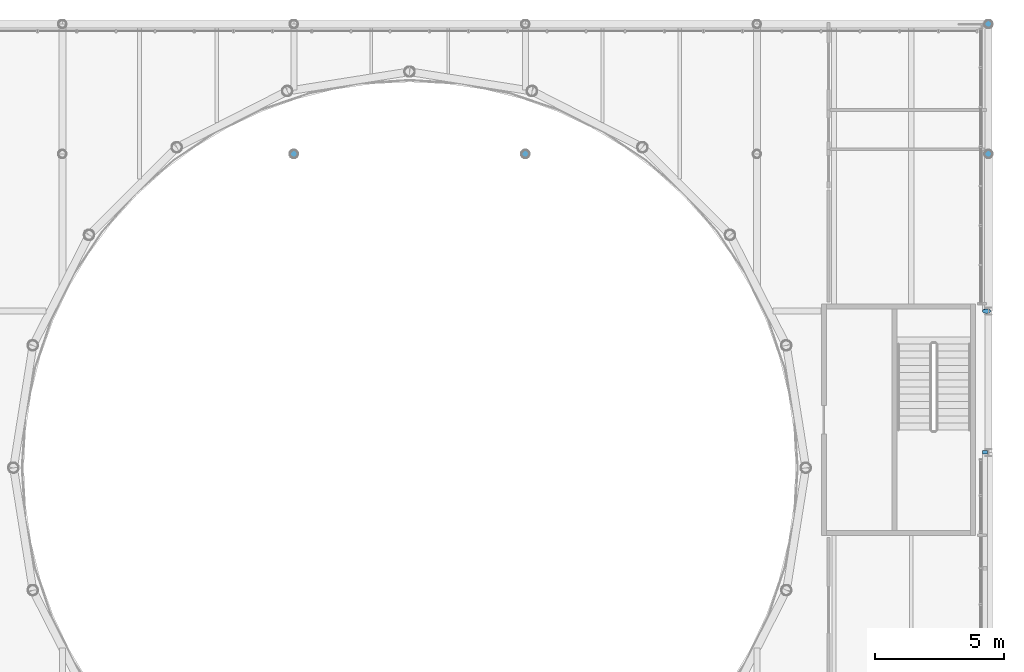
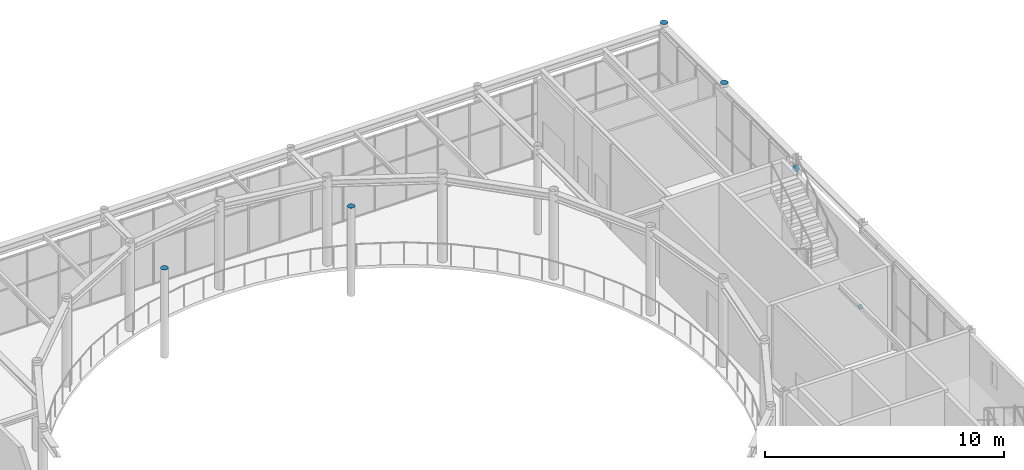
# One storey, part 61 of 70: 6 discrete accessories.
"""IFC4 building model written with IfcOpenShell, lengths in metres."""

from ifc_helpers import new_model, si_unit, direction, frame, origin, origin_2d, place, context, subcontext, project, spatial, rectangle, circle, extrude, material, material_profile, profile_set, type_object, element, save


model = new_model("IFC4")

# Units and contexts
model_context = context("Model", 3, precision=1e-05, world=origin(), true_north=direction((0.0, 1.0)))
body_context = subcontext(model_context, "Body", "Model", "MODEL_VIEW")
ifc_project = project(units=[si_unit("LENGTHUNIT", "METRE"), si_unit("AREAUNIT", "SQUARE_METRE"), si_unit("VOLUMEUNIT", "CUBIC_METRE"), si_unit("PLANEANGLEUNIT", "RADIAN"), si_unit("MASSUNIT", "GRAM", prefix="KILO")], contexts=[model_context])

# Site, building, storey
site_placement = place(None, origin())
site = spatial("IfcSite", under=ifc_project, at=site_placement, CompositionType="ELEMENT")
building_placement = place(site_placement, origin())
building = spatial("IfcBuilding", under=site, at=building_placement, Name="Kallimachos Central Library", CompositionType="ELEMENT")
storey_placement = place(building_placement, frame((0.0, 0.0, 18.89990234375)))
storey = spatial("IfcBuildingStorey", under=building, at=storey_placement, Name="L04", CompositionType="ELEMENT", Elevation=18.89990234375)

# Discrete accessories
ifc_material_1 = material(Name="Steel S355J2", Category="steel")
ifc_material_profile_1 = material_profile(ifc_material_1, rectangle(XDim=0.199951171875, YDim=0.199951171875, at=origin_2d()), Name="End cap plate 10, 200x200")
ifc_profile_set_1 = profile_set([ifc_material_profile_1], Name="Steel S355J2")
discrete_accessory_type_1 = type_object("IfcDiscreteAccessoryType", Name="End cap plate 10, 200x200", PredefinedType="BRACKET", material=ifc_profile_set_1)
discrete_accessory_placement = place(storey_placement, frame((110.364990234375, 105.00732421875, 0.143310546875), z_axis=(0.0, -0.731055268243, 0.68231825036), x_axis=(1.0, 0.0, 0.0)))
element("IfcDiscreteAccessory", 1, at=discrete_accessory_placement, inside=storey, type_object=discrete_accessory_type_1, Name="End cap plate", PredefinedType="BRACKET", context=body_context, shape_type="SweptSolid", body=[
    extrude(rectangle(XDim=0.199951171875, YDim=0.199951171875, at=origin_2d()), origin(), (0.0, 0.0, 1.0), 0.010009765625),
])
ifc_material_2 = material(Name="Steel S355J2", Category="steel")
ifc_material_profile_2 = material_profile(ifc_material_2, circle(Radius=0.161865234375, at=origin_2d()), Name="End cap plate 10, round 323.9")
ifc_profile_set_2 = profile_set([ifc_material_profile_2], Name="Steel S355J2")
discrete_accessory_type_2 = type_object("IfcDiscreteAccessoryType", Name="End cap plate 10, round 323.9", PredefinedType="BRACKET", material=ifc_profile_set_2)
for number, where, z_axis, x_axis, name in (
    (2, (110.5, 121.64990234375, 4.5), (0.0, 0.0, 1.0), (1.0, 0.0, 0.0), "End cap plate"),
    (3, (83.5, 116.60009765625, 4.5), (0.0, 0.0, 1.0), (1.0, 0.0, 0.0), "End cap plate"),
    (4, (92.5, 116.60009765625, 4.5), (0.0, 0.0, 1.0), (1.0, 0.0, 0.0), "End cap plate"),
    (5, (110.5, 116.60009765625, 4.5), (0.0, 0.0, 1.0), (1.0, 0.0, 0.0), "End cap plate"),
    (6, (110.427001953125, 110.491455078125, 3.855224609375), (0.0, 0.857492925713, -0.514495755428), (-1.0, 0.0, 0.0), "End cap plate"),
):
    element("IfcDiscreteAccessory", number, at=place(storey_placement, frame(where, z_axis=z_axis, x_axis=x_axis)), inside=storey, type_object=discrete_accessory_type_2, Name=name, PredefinedType="BRACKET", context=body_context, shape_type="SweptSolid", body=[
        extrude(circle(Radius=0.161865234375, at=origin_2d()), origin(), (0.0, 0.0, 1.0), 0.010009765625),
    ])

save(model, "model.ifc")
